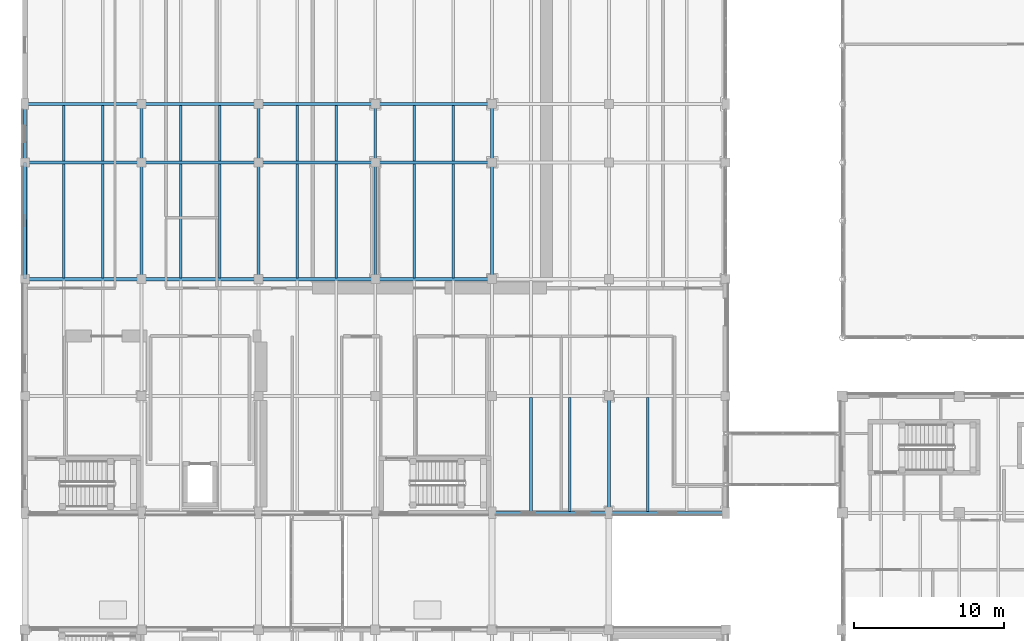
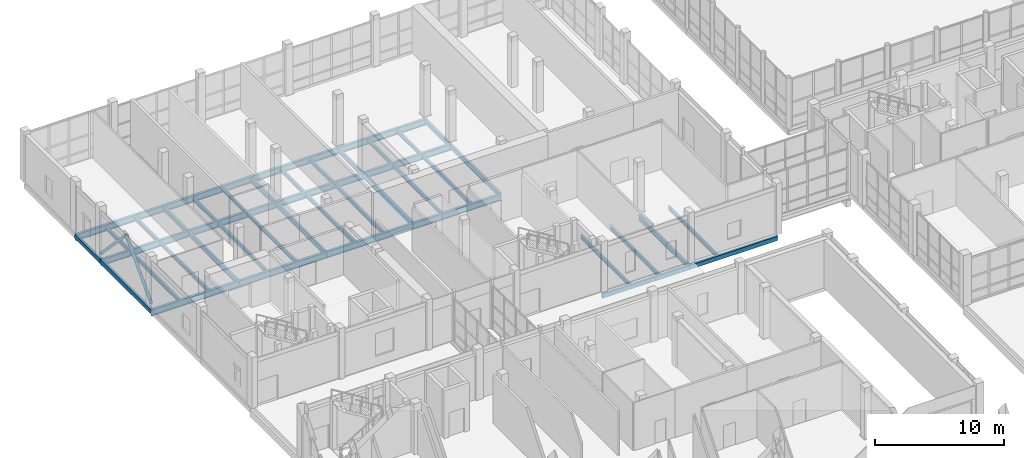
# One storey, part 30 of 131: 44 beams, 2 members.
"""IFC4 building model written with IfcOpenShell, lengths in metres."""

from ifc_helpers import new_model, si_unit, direction, frame, origin, origin_2d, place, context, subcontext, project, spatial, hollow_rectangle, hollow_circle, i_section, extrude, material, material_profile, profile_set, type_object, element, save


model = new_model("IFC4")

# Units and contexts
model_context = context("Model", 3, precision=1e-05, world=origin(), true_north=direction((0.0, 1.0)))
body_context = subcontext(model_context, "Body", "Model", "MODEL_VIEW")
ifc_project = project(units=[si_unit("LENGTHUNIT", "METRE"), si_unit("AREAUNIT", "SQUARE_METRE"), si_unit("VOLUMEUNIT", "CUBIC_METRE"), si_unit("PLANEANGLEUNIT", "RADIAN"), si_unit("MASSUNIT", "GRAM", prefix="KILO")], contexts=[model_context])

# Site, building, storey
site_placement = place(None, origin())
site = spatial("IfcSite", under=ifc_project, at=site_placement, CompositionType="ELEMENT")
building_placement = place(site_placement, origin())
building = spatial("IfcBuilding", under=site, at=building_placement, Name="Celorna Specialist Clinic", CompositionType="ELEMENT")
storey_placement = place(building_placement, origin())
storey = spatial("IfcBuildingStorey", under=building, at=storey_placement, Name="L00", CompositionType="ELEMENT", Elevation=0.0)

# Beams
ifc_material = material(Name="Steel S355", Category="steel")
ifc_material_profile_1 = material_profile(ifc_material, i_section(OverallWidth=0.219970703125, OverallDepth=0.60009765625, WebThickness=0.011962890625, FlangeThickness=0.01904296875, at=origin_2d()), Name="IPE 600")
ifc_profile_set_1 = profile_set([ifc_material_profile_1], Name="Steel S355")
beam_type_1 = type_object("IfcBeamType", Name="BM-06", PredefinedType="BEAM", material=ifc_profile_set_1)
for number, where, z_axis, x_axis, name in (
    (1, (0.0, 50.699951171875, -0.679931640625), (1.0, 0.0, 0.0), (0.0, 1.0, 0.0), "Primary girder BM-06 #242"),
    (2, (7.800048828125, 50.699951171875, -0.679931640625), (1.0, 0.0, 0.0), (0.0, 1.0, 0.0), "Primary girder BM-06 #243"),
):
    element("IfcBeam", number, at=place(storey_placement, frame(where, z_axis=z_axis, x_axis=x_axis)), inside=storey, type_object=beam_type_1, Name=name, PredefinedType="BEAM", context=body_context, shape_type="SweptSolid", body=[
        extrude(i_section(OverallWidth=0.219970703125, OverallDepth=0.60009765625, WebThickness=0.011962890625, FlangeThickness=0.01904296875, at=origin_2d()), origin(), (0.0, 0.0, 1.0), 7.800048828125),
    ])
beam_1_placement = place(storey_placement, frame((15.60009765625, 50.699951171875, -0.679931640625), z_axis=(1.0, 0.0, 0.0), x_axis=(0.0, 1.0, 0.0)))
element("IfcBeam", 3, at=beam_1_placement, inside=storey, type_object=beam_type_1, Name="Primary girder BM-06 #244", PredefinedType="BEAM", context=body_context, shape_type="SweptSolid", body=[
    extrude(i_section(OverallWidth=0.219970703125, OverallDepth=0.60009765625, WebThickness=0.011962890625, FlangeThickness=0.01904296875, at=origin_2d()), origin(), (0.0, 0.0, 1.0), 7.7998046875),
])
for number, where, z_axis, x_axis, name in (
    (4, (23.39990234375, 50.699951171875, -0.679931640625), (1.0, 0.0, 0.0), (0.0, 1.0, 0.0), "Primary girder BM-06 #245"),
    (5, (0.0, 58.5, -0.679931640625), (1.0, 0.0, 0.0), (0.0, 1.0, 0.0), "Primary girder BM-06 #248"),
    (6, (7.800048828125, 58.5, -0.679931640625), (1.0, 0.0, 0.0), (0.0, 1.0, 0.0), "Primary girder BM-06 #249"),
):
    element("IfcBeam", number, at=place(storey_placement, frame(where, z_axis=z_axis, x_axis=x_axis)), inside=storey, type_object=beam_type_1, Name=name, PredefinedType="BEAM", context=body_context, shape_type="SweptSolid", body=[
        extrude(i_section(OverallWidth=0.219970703125, OverallDepth=0.60009765625, WebThickness=0.011962890625, FlangeThickness=0.01904296875, at=origin_2d()), origin(), (0.0, 0.0, 1.0), 7.800048828125),
    ])
beam_2_placement = place(storey_placement, frame((15.60009765625, 58.5, -0.679931640625), z_axis=(1.0, 0.0, 0.0), x_axis=(0.0, 1.0, 0.0)))
element("IfcBeam", 7, at=beam_2_placement, inside=storey, type_object=beam_type_1, Name="Primary girder BM-06 #250", PredefinedType="BEAM", context=body_context, shape_type="SweptSolid", body=[
    extrude(i_section(OverallWidth=0.219970703125, OverallDepth=0.60009765625, WebThickness=0.011962890625, FlangeThickness=0.01904296875, at=origin_2d()), origin(), (0.0, 0.0, 1.0), 7.7998046875),
])
for number, where, z_axis, x_axis, name in (
    (8, (23.39990234375, 58.5, -0.679931640625), (1.0, 0.0, 0.0), (0.0, 1.0, 0.0), "Primary girder BM-06 #251"),
    (9, (0.0, 62.39990234375, -0.679931640625), (1.0, 0.0, 0.0), (0.0, 1.0, 0.0), "Primary girder BM-06 #254"),
    (10, (7.800048828125, 62.39990234375, -0.679931640625), (1.0, 0.0, 0.0), (0.0, 1.0, 0.0), "Primary girder BM-06 #255"),
):
    element("IfcBeam", number, at=place(storey_placement, frame(where, z_axis=z_axis, x_axis=x_axis)), inside=storey, type_object=beam_type_1, Name=name, PredefinedType="BEAM", context=body_context, shape_type="SweptSolid", body=[
        extrude(i_section(OverallWidth=0.219970703125, OverallDepth=0.60009765625, WebThickness=0.011962890625, FlangeThickness=0.01904296875, at=origin_2d()), origin(), (0.0, 0.0, 1.0), 7.800048828125),
    ])
beam_3_placement = place(storey_placement, frame((15.60009765625, 62.39990234375, -0.679931640625), z_axis=(1.0, 0.0, 0.0), x_axis=(0.0, 1.0, 0.0)))
element("IfcBeam", 11, at=beam_3_placement, inside=storey, type_object=beam_type_1, Name="Primary girder BM-06 #256", PredefinedType="BEAM", context=body_context, shape_type="SweptSolid", body=[
    extrude(i_section(OverallWidth=0.219970703125, OverallDepth=0.60009765625, WebThickness=0.011962890625, FlangeThickness=0.01904296875, at=origin_2d()), origin(), (0.0, 0.0, 1.0), 7.7998046875),
])
beam_4_placement = place(storey_placement, frame((23.39990234375, 62.39990234375, -0.679931640625), z_axis=(1.0, 0.0, 0.0), x_axis=(0.0, 1.0, 0.0)))
element("IfcBeam", 12, at=beam_4_placement, inside=storey, type_object=beam_type_1, Name="Primary girder BM-06 #257", PredefinedType="BEAM", context=body_context, shape_type="SweptSolid", body=[
    extrude(i_section(OverallWidth=0.219970703125, OverallDepth=0.60009765625, WebThickness=0.011962890625, FlangeThickness=0.01904296875, at=origin_2d()), origin(), (0.0, 0.0, 1.0), 7.800048828125),
])
ifc_material_profile_2 = material_profile(ifc_material, i_section(OverallWidth=0.18994140625, OverallDepth=0.449951171875, WebThickness=0.009521484375, FlangeThickness=0.0146484375, at=origin_2d()), Name="IPE 450")
ifc_profile_set_2 = profile_set([ifc_material_profile_2], Name="Steel S355")
beam_type_2 = type_object("IfcBeamType", Name="BM-09", PredefinedType="BEAM", material=ifc_profile_set_2)
beam_5_placement = place(storey_placement, frame((7.800048828125, 50.699951171875, -0.60498046875), z_axis=(0.0, 1.0, 0.0), x_axis=(-1.0, 0.0, 0.0)))
element("IfcBeam", 13, at=beam_5_placement, inside=storey, type_object=beam_type_2, Name="Transverse girder BM-09 #273", PredefinedType="BEAM", context=body_context, shape_type="SweptSolid", body=[
    extrude(i_section(OverallWidth=0.18994140625, OverallDepth=0.449951171875, WebThickness=0.009521484375, FlangeThickness=0.0146484375, at=origin_2d()), origin(), (0.0, 0.0, 1.0), 7.800048828125),
])
beam_6_placement = place(storey_placement, frame((7.800048828125, 58.5, -0.60498046875), z_axis=(0.0, 1.0, 0.0), x_axis=(-1.0, 0.0, 0.0)))
element("IfcBeam", 14, at=beam_6_placement, inside=storey, type_object=beam_type_2, Name="Transverse girder BM-09 #274", PredefinedType="BEAM", context=body_context, shape_type="SweptSolid", body=[
    extrude(i_section(OverallWidth=0.18994140625, OverallDepth=0.449951171875, WebThickness=0.009521484375, FlangeThickness=0.0146484375, at=origin_2d()), origin(), (0.0, 0.0, 1.0), 3.89990234375),
])
beam_7_placement = place(storey_placement, frame((15.60009765625, 50.699951171875, -0.60498046875), z_axis=(0.0, 1.0, 0.0), x_axis=(-1.0, 0.0, 0.0)))
element("IfcBeam", 15, at=beam_7_placement, inside=storey, type_object=beam_type_2, Name="Transverse girder BM-09 #278", PredefinedType="BEAM", context=body_context, shape_type="SweptSolid", body=[
    extrude(i_section(OverallWidth=0.18994140625, OverallDepth=0.449951171875, WebThickness=0.009521484375, FlangeThickness=0.0146484375, at=origin_2d()), origin(), (0.0, 0.0, 1.0), 7.800048828125),
])
beam_8_placement = place(storey_placement, frame((15.60009765625, 58.5, -0.60498046875), z_axis=(0.0, 1.0, 0.0), x_axis=(-1.0, 0.0, 0.0)))
element("IfcBeam", 16, at=beam_8_placement, inside=storey, type_object=beam_type_2, Name="Transverse girder BM-09 #279", PredefinedType="BEAM", context=body_context, shape_type="SweptSolid", body=[
    extrude(i_section(OverallWidth=0.18994140625, OverallDepth=0.449951171875, WebThickness=0.009521484375, FlangeThickness=0.0146484375, at=origin_2d()), origin(), (0.0, 0.0, 1.0), 3.89990234375),
])
beam_9_placement = place(storey_placement, frame((23.39990234375, 50.699951171875, -0.60498046875), z_axis=(0.0, 1.0, 0.0), x_axis=(-1.0, 0.0, 0.0)))
element("IfcBeam", 17, at=beam_9_placement, inside=storey, type_object=beam_type_2, Name="Transverse girder BM-09 #283", PredefinedType="BEAM", context=body_context, shape_type="SweptSolid", body=[
    extrude(i_section(OverallWidth=0.18994140625, OverallDepth=0.449951171875, WebThickness=0.009521484375, FlangeThickness=0.0146484375, at=origin_2d()), origin(), (0.0, 0.0, 1.0), 7.800048828125),
])
beam_10_placement = place(storey_placement, frame((23.39990234375, 58.5, -0.60498046875), z_axis=(0.0, 1.0, 0.0), x_axis=(-1.0, 0.0, 0.0)))
element("IfcBeam", 18, at=beam_10_placement, inside=storey, type_object=beam_type_2, Name="Transverse girder BM-09 #284", PredefinedType="BEAM", context=body_context, shape_type="SweptSolid", body=[
    extrude(i_section(OverallWidth=0.18994140625, OverallDepth=0.449951171875, WebThickness=0.009521484375, FlangeThickness=0.0146484375, at=origin_2d()), origin(), (0.0, 0.0, 1.0), 3.89990234375),
])
beam_11_placement = place(storey_placement, frame((31.199951171875, 50.699951171875, -0.60498046875), z_axis=(0.0, 1.0, 0.0), x_axis=(-1.0, 0.0, 0.0)))
element("IfcBeam", 19, at=beam_11_placement, inside=storey, type_object=beam_type_2, Name="Transverse girder BM-09 #288", PredefinedType="BEAM", context=body_context, shape_type="SweptSolid", body=[
    extrude(i_section(OverallWidth=0.18994140625, OverallDepth=0.449951171875, WebThickness=0.009521484375, FlangeThickness=0.0146484375, at=origin_2d()), origin(), (0.0, 0.0, 1.0), 7.800048828125),
])
beam_12_placement = place(storey_placement, frame((31.199951171875, 58.5, -0.60498046875), z_axis=(0.0, 1.0, 0.0), x_axis=(-1.0, 0.0, 0.0)))
element("IfcBeam", 20, at=beam_12_placement, inside=storey, type_object=beam_type_2, Name="Transverse girder BM-09 #289", PredefinedType="BEAM", context=body_context, shape_type="SweptSolid", body=[
    extrude(i_section(OverallWidth=0.18994140625, OverallDepth=0.449951171875, WebThickness=0.009521484375, FlangeThickness=0.0146484375, at=origin_2d()), origin(), (0.0, 0.0, 1.0), 3.89990234375),
])
beam_13_placement = place(storey_placement, frame((39.0, 35.10009765625, -0.60498046875), z_axis=(0.0, 1.0, 0.0), x_axis=(-1.0, 0.0, 0.0)))
element("IfcBeam", 21, at=beam_13_placement, inside=storey, type_object=beam_type_2, Name="Transverse girder BM-09 #291", PredefinedType="BEAM", context=body_context, shape_type="SweptSolid", body=[
    extrude(i_section(OverallWidth=0.18994140625, OverallDepth=0.449951171875, WebThickness=0.009521484375, FlangeThickness=0.0146484375, at=origin_2d()), origin(), (0.0, 0.0, 1.0), 7.7998046875),
])
ifc_material_profile_3 = material_profile(ifc_material, i_section(OverallWidth=0.169921875, OverallDepth=0.360107421875, WebThickness=0.008056640625, FlangeThickness=0.0126953125, at=origin_2d()), Name="IPE 360")
ifc_profile_set_3 = profile_set([ifc_material_profile_3], Name="Steel S355")
beam_type_3 = type_object("IfcBeamType", Name="BM-11", PredefinedType="JOIST", material=ifc_profile_set_3)
for number, where, z_axis, x_axis, name in (
    (22, (2.60009765625, 50.7880859375, -0.56005859375), (0.0, 1.0, 0.0), (-1.0, 0.0, 0.0), "Secondary floor joist BM-11 #303"),
    (23, (5.199951171875, 50.7880859375, -0.56005859375), (0.0, 1.0, 0.0), (-1.0, 0.0, 0.0), "Secondary floor joist BM-11 #304"),
):
    element("IfcBeam", number, at=place(storey_placement, frame(where, z_axis=z_axis, x_axis=x_axis)), inside=storey, type_object=beam_type_3, Name=name, PredefinedType="JOIST", context=body_context, shape_type="SweptSolid", body=[
        extrude(i_section(OverallWidth=0.169921875, OverallDepth=0.360107421875, WebThickness=0.008056640625, FlangeThickness=0.0126953125, at=origin_2d()), origin(), (0.0, 0.0, 1.0), 7.6240234375),
    ])
for number, where, z_axis, x_axis, name in (
    (24, (2.60009765625, 58.587890625, -0.56005859375), (0.0, 1.0, 0.0), (-1.0, 0.0, 0.0), "Secondary floor joist BM-11 #305"),
    (25, (5.199951171875, 58.587890625, -0.56005859375), (0.0, 1.0, 0.0), (-1.0, 0.0, 0.0), "Secondary floor joist BM-11 #306"),
):
    element("IfcBeam", number, at=place(storey_placement, frame(where, z_axis=z_axis, x_axis=x_axis)), inside=storey, type_object=beam_type_3, Name=name, PredefinedType="JOIST", context=body_context, shape_type="SweptSolid", body=[
        extrude(i_section(OverallWidth=0.169921875, OverallDepth=0.360107421875, WebThickness=0.008056640625, FlangeThickness=0.0126953125, at=origin_2d()), origin(), (0.0, 0.0, 1.0), 3.72412109375),
    ])
for number, where, z_axis, x_axis, name in (
    (26, (10.39990234375, 50.7880859375, -0.56005859375), (0.0, 1.0, 0.0), (-1.0, 0.0, 0.0), "Secondary floor joist BM-11 #313"),
    (27, (13.0, 50.7880859375, -0.56005859375), (0.0, 1.0, 0.0), (-1.0, 0.0, 0.0), "Secondary floor joist BM-11 #314"),
):
    element("IfcBeam", number, at=place(storey_placement, frame(where, z_axis=z_axis, x_axis=x_axis)), inside=storey, type_object=beam_type_3, Name=name, PredefinedType="JOIST", context=body_context, shape_type="SweptSolid", body=[
        extrude(i_section(OverallWidth=0.169921875, OverallDepth=0.360107421875, WebThickness=0.008056640625, FlangeThickness=0.0126953125, at=origin_2d()), origin(), (0.0, 0.0, 1.0), 7.6240234375),
    ])
for number, where, z_axis, x_axis, name in (
    (28, (10.39990234375, 58.587890625, -0.56005859375), (0.0, 1.0, 0.0), (-1.0, 0.0, 0.0), "Secondary floor joist BM-11 #315"),
    (29, (13.0, 58.587890625, -0.56005859375), (0.0, 1.0, 0.0), (-1.0, 0.0, 0.0), "Secondary floor joist BM-11 #316"),
):
    element("IfcBeam", number, at=place(storey_placement, frame(where, z_axis=z_axis, x_axis=x_axis)), inside=storey, type_object=beam_type_3, Name=name, PredefinedType="JOIST", context=body_context, shape_type="SweptSolid", body=[
        extrude(i_section(OverallWidth=0.169921875, OverallDepth=0.360107421875, WebThickness=0.008056640625, FlangeThickness=0.0126953125, at=origin_2d()), origin(), (0.0, 0.0, 1.0), 3.72412109375),
    ])
for number, where, z_axis, x_axis, name in (
    (30, (18.199951171875, 50.7880859375, -0.56005859375), (0.0, 1.0, 0.0), (-1.0, 0.0, 0.0), "Secondary floor joist BM-11 #323"),
    (31, (20.800048828125, 50.7880859375, -0.56005859375), (0.0, 1.0, 0.0), (-1.0, 0.0, 0.0), "Secondary floor joist BM-11 #324"),
):
    element("IfcBeam", number, at=place(storey_placement, frame(where, z_axis=z_axis, x_axis=x_axis)), inside=storey, type_object=beam_type_3, Name=name, PredefinedType="JOIST", context=body_context, shape_type="SweptSolid", body=[
        extrude(i_section(OverallWidth=0.169921875, OverallDepth=0.360107421875, WebThickness=0.008056640625, FlangeThickness=0.0126953125, at=origin_2d()), origin(), (0.0, 0.0, 1.0), 7.6240234375),
    ])
for number, where, z_axis, x_axis, name in (
    (32, (18.199951171875, 58.587890625, -0.56005859375), (0.0, 1.0, 0.0), (-1.0, 0.0, 0.0), "Secondary floor joist BM-11 #325"),
    (33, (20.800048828125, 58.587890625, -0.56005859375), (0.0, 1.0, 0.0), (-1.0, 0.0, 0.0), "Secondary floor joist BM-11 #326"),
):
    element("IfcBeam", number, at=place(storey_placement, frame(where, z_axis=z_axis, x_axis=x_axis)), inside=storey, type_object=beam_type_3, Name=name, PredefinedType="JOIST", context=body_context, shape_type="SweptSolid", body=[
        extrude(i_section(OverallWidth=0.169921875, OverallDepth=0.360107421875, WebThickness=0.008056640625, FlangeThickness=0.0126953125, at=origin_2d()), origin(), (0.0, 0.0, 1.0), 3.72412109375),
    ])
for number, where, z_axis, x_axis, name in (
    (34, (26.0, 50.7880859375, -0.56005859375), (0.0, 1.0, 0.0), (-1.0, 0.0, 0.0), "Secondary floor joist BM-11 #331"),
    (35, (28.60009765625, 50.7880859375, -0.56005859375), (0.0, 1.0, 0.0), (-1.0, 0.0, 0.0), "Secondary floor joist BM-11 #332"),
):
    element("IfcBeam", number, at=place(storey_placement, frame(where, z_axis=z_axis, x_axis=x_axis)), inside=storey, type_object=beam_type_3, Name=name, PredefinedType="JOIST", context=body_context, shape_type="SweptSolid", body=[
        extrude(i_section(OverallWidth=0.169921875, OverallDepth=0.360107421875, WebThickness=0.008056640625, FlangeThickness=0.0126953125, at=origin_2d()), origin(), (0.0, 0.0, 1.0), 7.6240234375),
    ])
for number, where, z_axis, x_axis, name in (
    (36, (26.0, 58.587890625, -0.56005859375), (0.0, 1.0, 0.0), (-1.0, 0.0, 0.0), "Secondary floor joist BM-11 #333"),
    (37, (28.60009765625, 58.587890625, -0.56005859375), (0.0, 1.0, 0.0), (-1.0, 0.0, 0.0), "Secondary floor joist BM-11 #334"),
):
    element("IfcBeam", number, at=place(storey_placement, frame(where, z_axis=z_axis, x_axis=x_axis)), inside=storey, type_object=beam_type_3, Name=name, PredefinedType="JOIST", context=body_context, shape_type="SweptSolid", body=[
        extrude(i_section(OverallWidth=0.169921875, OverallDepth=0.360107421875, WebThickness=0.008056640625, FlangeThickness=0.0126953125, at=origin_2d()), origin(), (0.0, 0.0, 1.0), 3.72412109375),
    ])
for number, where, z_axis, x_axis, name in (
    (38, (33.800048828125, 35.18798828125, -0.56005859375), (0.0, 1.0, 0.0), (-1.0, 0.0, 0.0), "Secondary floor joist BM-11 #337"),
    (39, (36.39990234375, 35.18798828125, -0.56005859375), (0.0, 1.0, 0.0), (-1.0, 0.0, 0.0), "Secondary floor joist BM-11 #338"),
    (40, (41.60009765625, 35.18798828125, -0.56005859375), (0.0, 1.0, 0.0), (-1.0, 0.0, 0.0), "Secondary floor joist BM-11 #347"),
):
    element("IfcBeam", number, at=place(storey_placement, frame(where, z_axis=z_axis, x_axis=x_axis)), inside=storey, type_object=beam_type_3, Name=name, PredefinedType="JOIST", context=body_context, shape_type="SweptSolid", body=[
        extrude(i_section(OverallWidth=0.169921875, OverallDepth=0.360107421875, WebThickness=0.008056640625, FlangeThickness=0.0126953125, at=origin_2d()), origin(), (0.0, 0.0, 1.0), 7.6240234375),
    ])
ifc_material_profile_4 = material_profile(ifc_material, hollow_rectangle(XDim=0.199951171875, YDim=0.39990234375, WallThickness=0.011962890625, at=origin_2d()), Name="RHS 200x400x12")
ifc_profile_set_4 = profile_set([ifc_material_profile_4], Name="Steel S355")
beam_type_4 = type_object("IfcBeamType", Name="BM-15", PredefinedType="SPANDREL", material=ifc_profile_set_4)
for number, where, z_axis, x_axis, name in (
    (41, (31.199951171875, 35.10009765625, -0.580078125), (1.0, 0.0, 0.0), (0.0, 1.0, 0.0), "Spandrel beam BM-15 #234"),
    (42, (39.0, 35.10009765625, -0.580078125), (1.0, 0.0, 0.0), (0.0, 1.0, 0.0), "Spandrel beam BM-15 #235"),
    (43, (0.0, 50.699951171875, -0.580078125), (0.0, 1.0, 0.0), (-1.0, 0.0, 0.0), "Spandrel beam BM-15 #268"),
):
    element("IfcBeam", number, at=place(storey_placement, frame(where, z_axis=z_axis, x_axis=x_axis)), inside=storey, type_object=beam_type_4, Name=name, PredefinedType="SPANDREL", context=body_context, shape_type="SweptSolid", body=[
        extrude(hollow_rectangle(XDim=0.199951171875, YDim=0.39990234375, WallThickness=0.011962890625, at=origin_2d()), origin(), (0.0, 0.0, 1.0), 7.800048828125),
    ])
beam_14_placement = place(storey_placement, frame((0.0, 58.5, -0.580078125), z_axis=(0.0, 1.0, 0.0), x_axis=(-1.0, 0.0, 0.0)))
element("IfcBeam", 44, at=beam_14_placement, inside=storey, type_object=beam_type_4, Name="Spandrel beam BM-15 #269", PredefinedType="SPANDREL", context=body_context, shape_type="SweptSolid", body=[
    extrude(hollow_rectangle(XDim=0.199951171875, YDim=0.39990234375, WallThickness=0.011962890625, at=origin_2d()), origin(), (0.0, 0.0, 1.0), 3.89990234375),
])

# Members
ifc_material_profile_5 = material_profile(ifc_material, hollow_circle(Radius=0.136474609375, WallThickness=0.012451171875, at=origin_2d()), Name="CHS 273x12.5")
ifc_profile_set_5 = profile_set([ifc_material_profile_5], Name="Steel S355")
member_type = type_object("IfcMemberType", Name="MB-06", PredefinedType="BRACE", material=ifc_profile_set_5)
for number, where, z_axis, x_axis, name in (
    (45, (0.0, 50.699951171875, 0.14990234375), (0.0, 0.689218737868, 0.724553332317), (-1.0, 0.0, 0.0), "Lateral chevron brace WP-107-WP-108"),
    (46, (0.0, 58.5, 0.14990234375), (0.0, -0.689196087446, 0.724574877462), (1.0, 0.0, 0.0), "Lateral chevron brace WP-109-WP-108"),
):
    element("IfcMember", number, at=place(storey_placement, frame(where, z_axis=z_axis, x_axis=x_axis)), inside=storey, type_object=member_type, Name=name, PredefinedType="BRACE", context=body_context, shape_type="SweptSolid", body=[
        extrude(hollow_circle(Radius=0.136474609375, WallThickness=0.012451171875, at=origin_2d()), origin(), (0.0, 0.0, 1.0), 5.65869140625),
    ])

save(model, "model.ifc")
